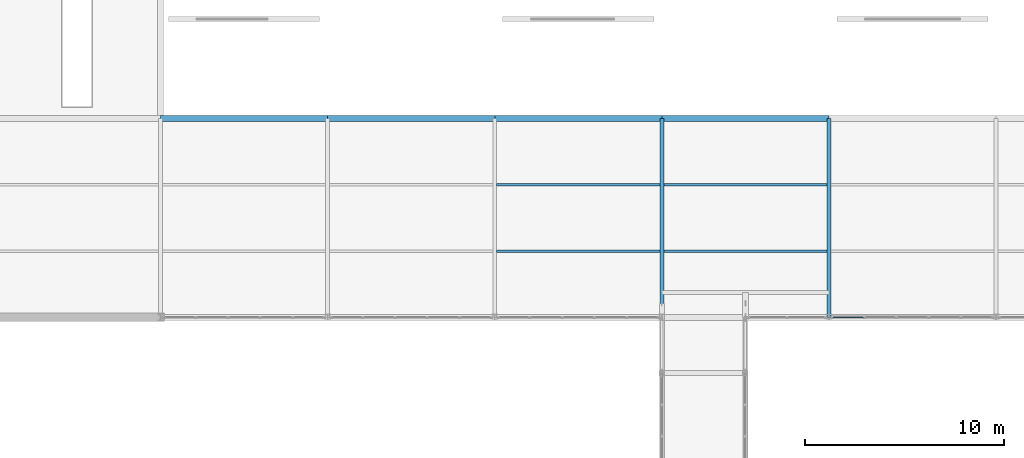
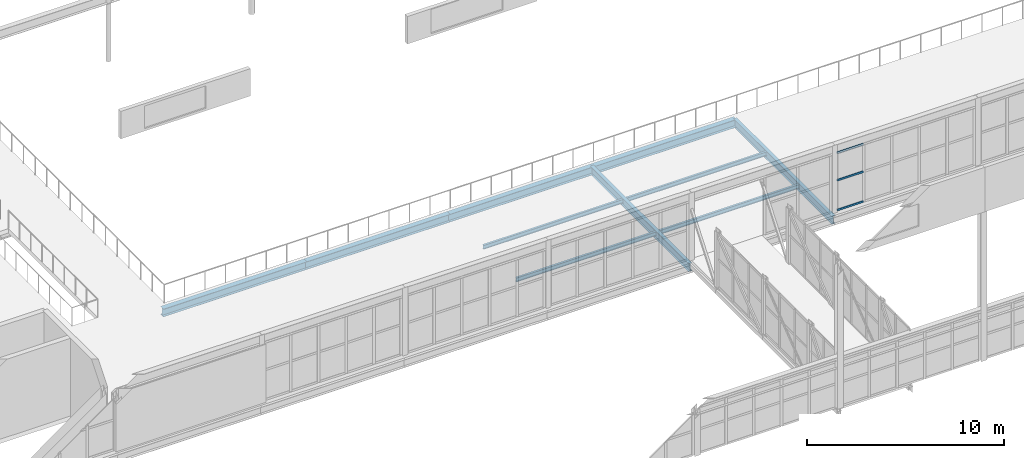
# One storey, part 96 of 218: 10 beams, 3 members, 1 element without a shape of its own.
"""IFC4 building model written with IfcOpenShell, lengths in metres."""

from ifc_helpers import new_model, si_unit, direction, frame, origin, origin_2d, place, context, subcontext, project, spatial, hollow_rectangle, i_section, extrude, material, material_profile, profile_set, type_object, element, aggregate, save


model = new_model("IFC4")

# Units and contexts
model_context = context("Model", 3, precision=1e-05, world=origin(), true_north=direction((0.0, 1.0)))
body_context = subcontext(model_context, "Body", "Model", "MODEL_VIEW")
ifc_project = project(units=[si_unit("LENGTHUNIT", "METRE"), si_unit("AREAUNIT", "SQUARE_METRE"), si_unit("VOLUMEUNIT", "CUBIC_METRE"), si_unit("PLANEANGLEUNIT", "RADIAN"), si_unit("MASSUNIT", "GRAM", prefix="KILO")], contexts=[model_context])

# Site, building, storey
site_placement = place(None, origin())
site = spatial("IfcSite", under=ifc_project, at=site_placement, CompositionType="ELEMENT")
building_placement = place(site_placement, origin())
building = spatial("IfcBuilding", under=site, at=building_placement, Name="Kazenagashi Tramway Depot", CompositionType="ELEMENT")
storey_placement = place(building_placement, frame((0.0, 0.0, 6.0)))
storey = spatial("IfcBuildingStorey", under=building, at=storey_placement, Name="L02", CompositionType="ELEMENT", Elevation=6.0)

# Beams
ifc_material_1 = material(Name="Steel SN490B", Category="steel")
ifc_material_profile_1 = material_profile(ifc_material_1, i_section(OverallWidth=0.2, OverallDepth=0.5, WebThickness=0.01, FlangeThickness=0.016, at=origin_2d()), Name="H-500x200x10x16")
ifc_profile_set_1 = profile_set([ifc_material_profile_1], Name="Steel SN490B")
beam_type_1 = type_object("IfcBeamType", Name="G-05", PredefinedType="BEAM", material=ifc_profile_set_1)
for number, where, z_axis, x_axis, name in (
    (1, (86.8, 70.0, -0.515), (0.0, 1.0, 0.0), (-1.0, 0.0, 0.0), "Beam G-05 BM-1751"),
    (2, (95.2, 70.0, -0.515), (0.0, 1.0, 0.0), (-1.0, 0.0, 0.0), "Beam G-05 BM-1754"),
):
    element("IfcBeam", number, at=place(storey_placement, frame(where, z_axis=z_axis, x_axis=x_axis)), inside=storey, type_object=beam_type_1, Name=name, PredefinedType="BEAM", context=body_context, shape_type="SweptSolid", body=[
        extrude(i_section(OverallWidth=0.2, OverallDepth=0.5, WebThickness=0.01, FlangeThickness=0.016, at=origin_2d()), origin(), (0.0, 0.0, 1.0), 10.0),
    ])
ifc_material_2 = material(Name="Steel SN400B", Category="steel")
ifc_material_profile_2 = material_profile(ifc_material_2, i_section(OverallWidth=0.125, OverallDepth=0.25, WebThickness=0.006, FlangeThickness=0.009, at=origin_2d()), Name="H-250x125x6x9")
ifc_profile_set_2 = profile_set([ifc_material_profile_2], Name="Steel SN400B")
beam_type_2 = type_object("IfcBeamType", Name="J-03", PredefinedType="JOIST", material=ifc_profile_set_2)
for number, where, z_axis, x_axis, name in (
    (3, (78.5, 73.333, -0.39), (1.0, 0.0, 0.0), (0.0, 1.0, 0.0), "Beam J-03 BM-1749"),
    (4, (78.5, 76.667, -0.39), (1.0, 0.0, 0.0), (0.0, 1.0, 0.0), "Beam J-03 BM-1750"),
    (5, (86.9, 73.333, -0.39), (1.0, 0.0, 0.0), (0.0, 1.0, 0.0), "Beam J-03 BM-1752"),
    (6, (86.9, 76.667, -0.39), (1.0, 0.0, 0.0), (0.0, 1.0, 0.0), "Beam J-03 BM-1753"),
):
    element("IfcBeam", number, at=place(storey_placement, frame(where, z_axis=z_axis, x_axis=x_axis)), inside=storey, type_object=beam_type_2, Name=name, PredefinedType="JOIST", context=body_context, shape_type="SweptSolid", body=[
        extrude(i_section(OverallWidth=0.125, OverallDepth=0.25, WebThickness=0.006, FlangeThickness=0.009, at=origin_2d()), origin(), (0.0, 0.0, 1.0), 8.2),
    ])
ifc_material_profile_3 = material_profile(ifc_material_1, i_section(OverallWidth=0.3, OverallDepth=0.488, WebThickness=0.011, FlangeThickness=0.018, at=origin_2d()), Name="H-488x300x11x18")
ifc_profile_set_3 = profile_set([ifc_material_profile_3], Name="Steel SN490B")
beam_type_3 = type_object("IfcBeamType", Name="SP-02", PredefinedType="SPANDREL", material=ifc_profile_set_3)
for number, where, z_axis, x_axis, name in (
    (7, (61.6, 80.0, -0.509), (1.0, 0.0, 0.0), (0.0, 1.0, 0.0), "Beam SP-02 BM-1721"),
    (8, (70.0, 80.0, -0.509), (1.0, 0.0, 0.0), (0.0, 1.0, 0.0), "Beam SP-02 BM-1722"),
    (9, (78.4, 80.0, -0.509), (1.0, 0.0, 0.0), (0.0, 1.0, 0.0), "Beam SP-02 BM-1723"),
    (10, (86.8, 80.0, -0.509), (1.0, 0.0, 0.0), (0.0, 1.0, 0.0), "Beam SP-02 BM-1724"),
):
    element("IfcBeam", number, at=place(storey_placement, frame(where, z_axis=z_axis, x_axis=x_axis)), inside=storey, type_object=beam_type_3, Name=name, PredefinedType="SPANDREL", context=body_context, shape_type="SweptSolid", body=[
        extrude(i_section(OverallWidth=0.3, OverallDepth=0.488, WebThickness=0.011, FlangeThickness=0.018, at=origin_2d()), origin(), (0.0, 0.0, 1.0), 8.4),
    ])

# Curtain wall, members
ifc_material_3 = material(Name="Anodised Aluminium and Low-E Glazing", Category="aluminium")
curtain_wall_type = type_object("IfcCurtainWallType", Name="CW-11", PredefinedType="USERDEFINED", material=ifc_material_3)
curtain_wall_placement = place(storey_placement, origin())
curtain_wall = element("IfcCurtainWall", 11, at=curtain_wall_placement, inside=storey, type_object=curtain_wall_type, Name="Industrial Glazed Screen CW-11 CW-0032", ObjectType="GLAZED SCREEN", PredefinedType="USERDEFINED")
ifc_material_4 = material(Name="Anodised Aluminium", Category="aluminium")
ifc_material_profile_4 = material_profile(ifc_material_4, hollow_rectangle(XDim=0.06, YDim=0.12, WallThickness=0.004, at=origin_2d()), Name="RHS-120x60x4")
ifc_profile_set_4 = profile_set([ifc_material_profile_4], Name="Anodised Aluminium")
member_type = type_object("IfcMemberType", Name="TR-01", PredefinedType="USERDEFINED", material=ifc_profile_set_4)
member_1_placement = place(storey_placement, frame((95.4, 70.0, 0.03), z_axis=(1.0, 0.0, 0.0), x_axis=(0.0, 1.0, 0.0)))
member_1 = element("IfcMember", 12, at=member_1_placement, type_object=member_type, Name="CW-11 transom 1.1", ObjectType="TRANSOM", PredefinedType="USERDEFINED", context=body_context, shape_type="SweptSolid", body=[
    extrude(hollow_rectangle(XDim=0.06, YDim=0.12, WallThickness=0.004, at=origin_2d()), origin(), (0.0, 0.0, 1.0), 1.534),
])
member_2_placement = place(storey_placement, frame((95.4, 70.0, 1.878), z_axis=(1.0, 0.0, 0.0), x_axis=(0.0, 1.0, 0.0)))
member_2 = element("IfcMember", 13, at=member_2_placement, type_object=member_type, Name="CW-11 transom 1.2", ObjectType="TRANSOM", PredefinedType="USERDEFINED", context=body_context, shape_type="SweptSolid", body=[
    extrude(hollow_rectangle(XDim=0.06, YDim=0.12, WallThickness=0.004, at=origin_2d()), origin(), (0.0, 0.0, 1.0), 1.534),
])
member_3_placement = place(storey_placement, frame((95.4, 70.0, 3.582), z_axis=(1.0, 0.0, 0.0), x_axis=(0.0, 1.0, 0.0)))
member_3 = element("IfcMember", 14, at=member_3_placement, type_object=member_type, Name="CW-11 transom 1.3", ObjectType="TRANSOM", PredefinedType="USERDEFINED", context=body_context, shape_type="SweptSolid", body=[
    extrude(hollow_rectangle(XDim=0.06, YDim=0.12, WallThickness=0.004, at=origin_2d()), origin(), (0.0, 0.0, 1.0), 1.534),
])
aggregate(curtain_wall, [member_1, member_2, member_3])

save(model, "model.ifc")
